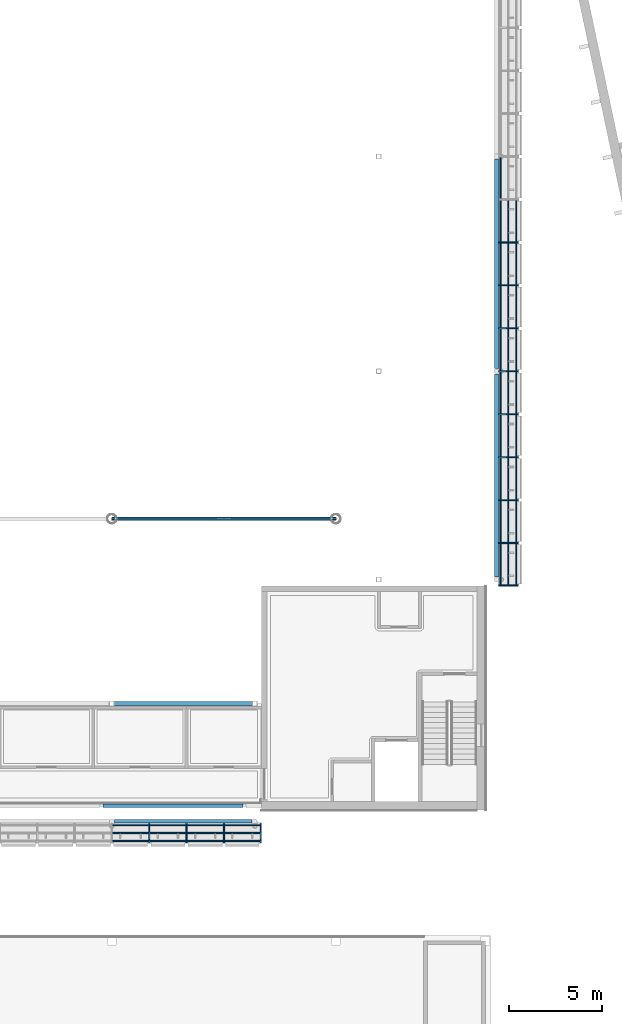
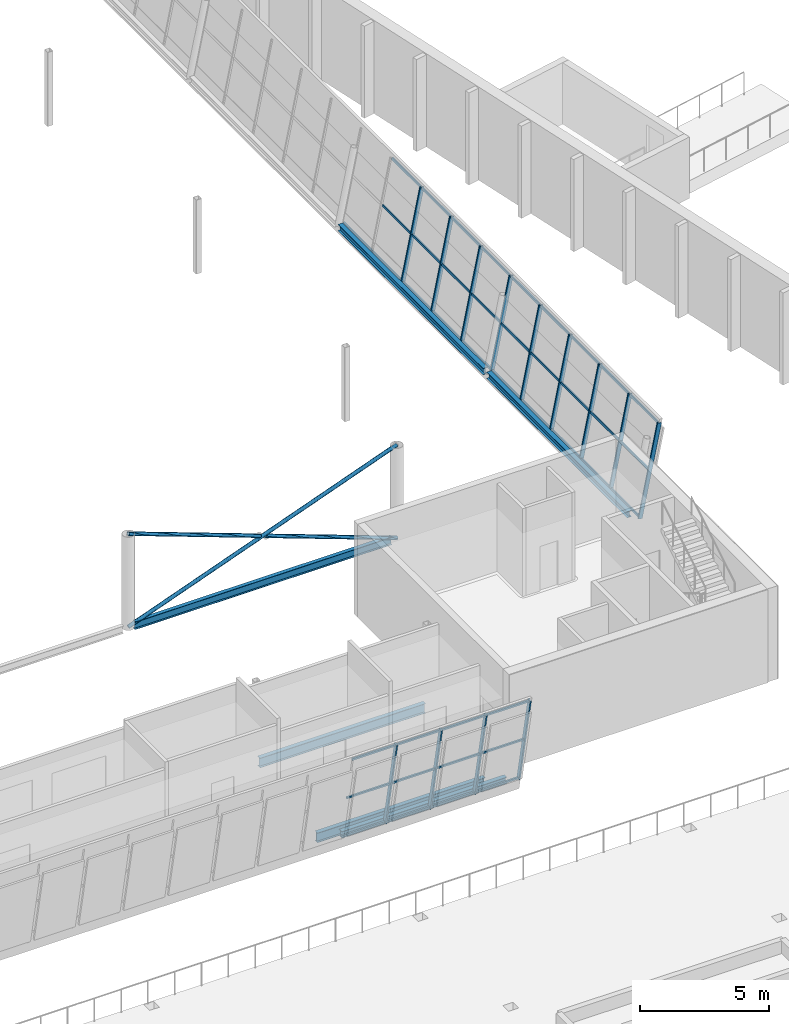
# One storey, part 30 of 95: 56 members, 6 beams, 2 elements without a shape of their own.
"""IFC4 building model written with IfcOpenShell, lengths in metres."""

from ifc_helpers import new_model, si_unit, direction, frame, origin, origin_2d, place, context, subcontext, project, spatial, rectangle, hollow_circle, i_section, extrude, material, layer, layer_set, material_profile, profile_set, type_object, element, aggregate, save


model = new_model("IFC4")

# Units and contexts
model_context = context("Model", 3, precision=1e-05, world=origin(), true_north=direction((0.0, 1.0)))
body_context = subcontext(model_context, "Body", "Model", "MODEL_VIEW")
ifc_project = project(units=[si_unit("LENGTHUNIT", "METRE"), si_unit("AREAUNIT", "SQUARE_METRE"), si_unit("VOLUMEUNIT", "CUBIC_METRE"), si_unit("PLANEANGLEUNIT", "RADIAN"), si_unit("MASSUNIT", "GRAM", prefix="KILO")], contexts=[model_context])

# Site, building, storey
site_placement = place(None, origin())
site = spatial("IfcSite", under=ifc_project, at=site_placement, CompositionType="ELEMENT")
building_placement = place(site_placement, origin())
building = spatial("IfcBuilding", under=site, at=building_placement, Name="Windward Yard Aquatics Centre", CompositionType="ELEMENT")
storey_placement = place(building_placement, frame((0.0, 0.0, 9.39990234375)))
storey = spatial("IfcBuildingStorey", under=building, at=storey_placement, Name="L02", CompositionType="ELEMENT", Elevation=9.39990234375)

# Curtain wall, members
ifc_material_1 = material(Name="Glass and aluminium curtain wall", Category="aluminium")
ifc_layer = layer(ifc_material_1, 0.179931640625)
ifc_layer_set = layer_set([ifc_layer], Name="H curtain wall tier 1 double glazed 8+16+8")
curtain_wall_type = type_object("IfcCurtainWallType", Name="H curtain wall tier 1 double glazed 8+16+8", PredefinedType="NOTDEFINED", material=ifc_layer_set)
curtain_wall_1_placement = place(storey_placement, origin())
curtain_wall_1 = element("IfcCurtainWall", 1, at=curtain_wall_1_placement, inside=storey, type_object=curtain_wall_type, Name="Tier 1 glazing S L02", PredefinedType="NOTDEFINED")
ifc_material_2 = material(Name="Aluminium 6063-T6 anodised", Category="aluminium")
ifc_material_profile_1 = material_profile(ifc_material_2, rectangle(XDim=0.06494140625, YDim=0.179931640625, at=origin_2d()), Name="H CW mullion 65x180")
ifc_profile_set_1 = profile_set([ifc_material_profile_1], Name="Aluminium 6063-T6 anodised")
member_type_1 = type_object("IfcMemberType", Name="H CW mullion 65x180", PredefinedType="MULLION", material=ifc_profile_set_1)
member_1_placement = place(storey_placement, frame((134.000732421875, 25.196533203125, 0.0), z_axis=(0.0, -0.199322032497, 0.979934042352), x_axis=(1.0, 0.0, 0.0)))
member_1 = element("IfcMember", 2, at=member_1_placement, type_object=member_type_1, Name="G1SB mullion 17", PredefinedType="MULLION", context=body_context, shape_type="SweptSolid", body=[
    extrude(rectangle(XDim=0.06494140625, YDim=0.179931640625, at=origin_2d()), origin(), (0.0, 0.0, 1.0), 4.31884765625),
])
member_2_placement = place(storey_placement, frame((136.00048828125, 25.196533203125, 0.0), z_axis=(0.0, -0.199322032497, 0.979934042352), x_axis=(1.0, 0.0, 0.0)))
member_2 = element("IfcMember", 3, at=member_2_placement, type_object=member_type_1, Name="G1SB mullion 18", PredefinedType="MULLION", context=body_context, shape_type="SweptSolid", body=[
    extrude(rectangle(XDim=0.06494140625, YDim=0.179931640625, at=origin_2d()), origin(), (0.0, 0.0, 1.0), 4.31884765625),
])
member_3_placement = place(storey_placement, frame((138.000244140625, 25.196533203125, 0.0), z_axis=(0.0, -0.199322032497, 0.979934042352), x_axis=(1.0, 0.0, 0.0)))
member_3 = element("IfcMember", 4, at=member_3_placement, type_object=member_type_1, Name="G1SB mullion 19", PredefinedType="MULLION", context=body_context, shape_type="SweptSolid", body=[
    extrude(rectangle(XDim=0.06494140625, YDim=0.179931640625, at=origin_2d()), origin(), (0.0, 0.0, 1.0), 4.31884765625),
])
member_4_placement = place(storey_placement, frame((139.967529296875, 25.196533203125, 0.0), z_axis=(0.0, -0.199322032497, 0.979934042352), x_axis=(1.0, 0.0, 0.0)))
member_4 = element("IfcMember", 5, at=member_4_placement, type_object=member_type_1, Name="G1SB mullion 20", PredefinedType="MULLION", context=body_context, shape_type="SweptSolid", body=[
    extrude(rectangle(XDim=0.06494140625, YDim=0.179931640625, at=origin_2d()), origin(), (0.0, 0.0, 1.0), 4.31884765625),
])

curtain_wall_2_placement = place(storey_placement, origin())
curtain_wall_2 = element("IfcCurtainWall", 6, at=curtain_wall_2_placement, inside=storey, type_object=curtain_wall_type, Name="Tier 1 glazing E L02", PredefinedType="NOTDEFINED")
member_5_placement = place(storey_placement, frame((152.803466796875, 38.032470703125, 0.0), z_axis=(0.199322032497, 0.0, 0.979934042352), x_axis=(0.0, 1.0, 0.0)))
member_5 = element("IfcMember", 7, at=member_5_placement, type_object=member_type_1, Name="G1EA mullion 1", PredefinedType="MULLION", context=body_context, shape_type="SweptSolid", body=[
    extrude(rectangle(XDim=0.06494140625, YDim=0.179931640625, at=origin_2d()), origin(), (0.0, 0.0, 1.0), 4.31884765625),
])
member_6_placement = place(storey_placement, frame((152.803466796875, 40.300048828125, 0.0), z_axis=(0.199322032497, 0.0, 0.979934042352), x_axis=(0.0, 1.0, 0.0)))
member_6 = element("IfcMember", 8, at=member_6_placement, type_object=member_type_1, Name="G1EA mullion 2", PredefinedType="MULLION", context=body_context, shape_type="SweptSolid", body=[
    extrude(rectangle(XDim=0.06494140625, YDim=0.179931640625, at=origin_2d()), origin(), (0.0, 0.0, 1.0), 4.31884765625),
])
member_7_placement = place(storey_placement, frame((152.803466796875, 42.60009765625, 0.0), z_axis=(0.199322032497, 0.0, 0.979934042352), x_axis=(0.0, 1.0, 0.0)))
member_7 = element("IfcMember", 9, at=member_7_placement, type_object=member_type_1, Name="G1EA mullion 3", PredefinedType="MULLION", context=body_context, shape_type="SweptSolid", body=[
    extrude(rectangle(XDim=0.06494140625, YDim=0.179931640625, at=origin_2d()), origin(), (0.0, 0.0, 1.0), 4.31884765625),
])
member_8_placement = place(storey_placement, frame((152.803466796875, 44.89990234375, 0.0), z_axis=(0.199322032497, 0.0, 0.979934042352), x_axis=(0.0, 1.0, 0.0)))
member_8 = element("IfcMember", 10, at=member_8_placement, type_object=member_type_1, Name="G1EA mullion 4", PredefinedType="MULLION", context=body_context, shape_type="SweptSolid", body=[
    extrude(rectangle(XDim=0.06494140625, YDim=0.179931640625, at=origin_2d()), origin(), (0.0, 0.0, 1.0), 4.31884765625),
])
member_9_placement = place(storey_placement, frame((152.803466796875, 47.199951171875, 0.0), z_axis=(0.199322032497, 0.0, 0.979934042352), x_axis=(0.0, 1.0, 0.0)))
member_9 = element("IfcMember", 11, at=member_9_placement, type_object=member_type_1, Name="G1EA mullion 5", PredefinedType="MULLION", context=body_context, shape_type="SweptSolid", body=[
    extrude(rectangle(XDim=0.06494140625, YDim=0.179931640625, at=origin_2d()), origin(), (0.0, 0.0, 1.0), 4.31884765625),
])
member_10_placement = place(storey_placement, frame((152.803466796875, 49.5, 0.0), z_axis=(0.199322032497, 0.0, 0.979934042352), x_axis=(0.0, 1.0, 0.0)))
member_10 = element("IfcMember", 12, at=member_10_placement, type_object=member_type_1, Name="G1EA mullion 6", PredefinedType="MULLION", context=body_context, shape_type="SweptSolid", body=[
    extrude(rectangle(XDim=0.06494140625, YDim=0.179931640625, at=origin_2d()), origin(), (0.0, 0.0, 1.0), 4.31884765625),
])
member_11_placement = place(storey_placement, frame((152.803466796875, 51.800048828125, 0.0), z_axis=(0.199322032497, 0.0, 0.979934042352), x_axis=(0.0, 1.0, 0.0)))
member_11 = element("IfcMember", 13, at=member_11_placement, type_object=member_type_1, Name="G1EA mullion 7", PredefinedType="MULLION", context=body_context, shape_type="SweptSolid", body=[
    extrude(rectangle(XDim=0.06494140625, YDim=0.179931640625, at=origin_2d()), origin(), (0.0, 0.0, 1.0), 4.31884765625),
])
member_12_placement = place(storey_placement, frame((152.803466796875, 54.10009765625, 0.0), z_axis=(0.199322032497, 0.0, 0.979934042352), x_axis=(0.0, 1.0, 0.0)))
member_12 = element("IfcMember", 14, at=member_12_placement, type_object=member_type_1, Name="G1EA mullion 8", PredefinedType="MULLION", context=body_context, shape_type="SweptSolid", body=[
    extrude(rectangle(XDim=0.06494140625, YDim=0.179931640625, at=origin_2d()), origin(), (0.0, 0.0, 1.0), 4.31884765625),
])
member_13_placement = place(storey_placement, frame((152.803466796875, 56.39990234375, 0.0), z_axis=(0.199322032497, 0.0, 0.979934042352), x_axis=(0.0, 1.0, 0.0)))
member_13 = element("IfcMember", 15, at=member_13_placement, type_object=member_type_1, Name="G1EA mullion 9", PredefinedType="MULLION", context=body_context, shape_type="SweptSolid", body=[
    extrude(rectangle(XDim=0.06494140625, YDim=0.179931640625, at=origin_2d()), origin(), (0.0, 0.0, 1.0), 4.31884765625),
])

# Member
ifc_material_profile_2 = material_profile(ifc_material_2, rectangle(XDim=0.06494140625, YDim=0.10009765625, at=origin_2d()), Name="H CW transom 65x100")
ifc_profile_set_2 = profile_set([ifc_material_profile_2], Name="Aluminium 6063-T6 anodised")
member_type_2 = type_object("IfcMemberType", Name="H CW transom 65x100", PredefinedType="USERDEFINED", material=ifc_profile_set_2)
member_14_placement = place(storey_placement, frame((132.033447265625, 25.186767578125, 0.049072265625), z_axis=(1.0, 0.0, 0.0), x_axis=(0.0, 0.9799247046, 0.19936793452)))
member_14 = element("IfcMember", 16, at=member_14_placement, type_object=member_type_2, Name="G1SB transom 16.1", ObjectType="TRANSOM", PredefinedType="USERDEFINED", context=body_context, shape_type="SweptSolid", body=[
    extrude(rectangle(XDim=0.06494140625, YDim=0.10009765625, at=origin_2d()), origin(), (0.0, 0.0, 1.0), 1.934814453125),
])

member_15_placement = place(storey_placement, frame((132.033447265625, 24.764404296875, 2.125), z_axis=(1.0, 0.0, 0.0), x_axis=(0.0, 0.9799247046, 0.19936793452)))
member_15 = element("IfcMember", 17, at=member_15_placement, type_object=member_type_2, Name="G1SB transom 16.2", ObjectType="TRANSOM", PredefinedType="USERDEFINED", context=body_context, shape_type="SweptSolid", body=[
    extrude(rectangle(XDim=0.06494140625, YDim=0.10009765625, at=origin_2d()), origin(), (0.0, 0.0, 1.0), 1.934814453125),
])

member_16_placement = place(storey_placement, frame((132.033447265625, 24.34326171875, 4.194580078125), z_axis=(1.0, 0.0, 0.0), x_axis=(0.0, 0.9799247046, 0.19936793452)))
member_16 = element("IfcMember", 18, at=member_16_placement, type_object=member_type_2, Name="G1SB transom 16.3", ObjectType="TRANSOM", PredefinedType="USERDEFINED", context=body_context, shape_type="SweptSolid", body=[
    extrude(rectangle(XDim=0.06494140625, YDim=0.10009765625, at=origin_2d()), origin(), (0.0, 0.0, 1.0), 1.934814453125),
])

member_17_placement = place(storey_placement, frame((134.033203125, 25.186767578125, 0.049072265625), z_axis=(1.0, 0.0, 0.0), x_axis=(0.0, 0.9799247046, 0.19936793452)))
member_17 = element("IfcMember", 19, at=member_17_placement, type_object=member_type_2, Name="G1SB transom 17.1", ObjectType="TRANSOM", PredefinedType="USERDEFINED", context=body_context, shape_type="SweptSolid", body=[
    extrude(rectangle(XDim=0.06494140625, YDim=0.10009765625, at=origin_2d()), origin(), (0.0, 0.0, 1.0), 1.934814453125),
])

member_18_placement = place(storey_placement, frame((134.033203125, 24.764404296875, 2.125), z_axis=(1.0, 0.0, 0.0), x_axis=(0.0, 0.9799247046, 0.19936793452)))
member_18 = element("IfcMember", 20, at=member_18_placement, type_object=member_type_2, Name="G1SB transom 17.2", ObjectType="TRANSOM", PredefinedType="USERDEFINED", context=body_context, shape_type="SweptSolid", body=[
    extrude(rectangle(XDim=0.06494140625, YDim=0.10009765625, at=origin_2d()), origin(), (0.0, 0.0, 1.0), 1.934814453125),
])

member_19_placement = place(storey_placement, frame((134.033203125, 24.34326171875, 4.194580078125), z_axis=(1.0, 0.0, 0.0), x_axis=(0.0, 0.9799247046, 0.19936793452)))
member_19 = element("IfcMember", 21, at=member_19_placement, type_object=member_type_2, Name="G1SB transom 17.3", ObjectType="TRANSOM", PredefinedType="USERDEFINED", context=body_context, shape_type="SweptSolid", body=[
    extrude(rectangle(XDim=0.06494140625, YDim=0.10009765625, at=origin_2d()), origin(), (0.0, 0.0, 1.0), 1.934814453125),
])

member_20_placement = place(storey_placement, frame((136.032958984375, 25.186767578125, 0.049072265625), z_axis=(1.0, 0.0, 0.0), x_axis=(0.0, 0.9799247046, 0.19936793452)))
member_20 = element("IfcMember", 22, at=member_20_placement, type_object=member_type_2, Name="G1SB transom 18.1", ObjectType="TRANSOM", PredefinedType="USERDEFINED", context=body_context, shape_type="SweptSolid", body=[
    extrude(rectangle(XDim=0.06494140625, YDim=0.10009765625, at=origin_2d()), origin(), (0.0, 0.0, 1.0), 1.934814453125),
])

member_21_placement = place(storey_placement, frame((136.032958984375, 24.764404296875, 2.125), z_axis=(1.0, 0.0, 0.0), x_axis=(0.0, 0.9799247046, 0.19936793452)))
member_21 = element("IfcMember", 23, at=member_21_placement, type_object=member_type_2, Name="G1SB transom 18.2", ObjectType="TRANSOM", PredefinedType="USERDEFINED", context=body_context, shape_type="SweptSolid", body=[
    extrude(rectangle(XDim=0.06494140625, YDim=0.10009765625, at=origin_2d()), origin(), (0.0, 0.0, 1.0), 1.934814453125),
])

member_22_placement = place(storey_placement, frame((136.032958984375, 24.34326171875, 4.194580078125), z_axis=(1.0, 0.0, 0.0), x_axis=(0.0, 0.9799247046, 0.19936793452)))
member_22 = element("IfcMember", 24, at=member_22_placement, type_object=member_type_2, Name="G1SB transom 18.3", ObjectType="TRANSOM", PredefinedType="USERDEFINED", context=body_context, shape_type="SweptSolid", body=[
    extrude(rectangle(XDim=0.06494140625, YDim=0.10009765625, at=origin_2d()), origin(), (0.0, 0.0, 1.0), 1.934814453125),
])

member_23_placement = place(storey_placement, frame((138.03271484375, 25.186767578125, 0.049072265625), z_axis=(1.0, 0.0, 0.0), x_axis=(0.0, 0.9799247046, 0.19936793452)))
member_23 = element("IfcMember", 25, at=member_23_placement, type_object=member_type_2, Name="G1SB transom 19.1", ObjectType="TRANSOM", PredefinedType="USERDEFINED", context=body_context, shape_type="SweptSolid", body=[
    extrude(rectangle(XDim=0.06494140625, YDim=0.10009765625, at=origin_2d()), origin(), (0.0, 0.0, 1.0), 1.90234375),
])

member_24_placement = place(storey_placement, frame((138.03271484375, 24.764404296875, 2.125), z_axis=(1.0, 0.0, 0.0), x_axis=(0.0, 0.9799247046, 0.19936793452)))
member_24 = element("IfcMember", 26, at=member_24_placement, type_object=member_type_2, Name="G1SB transom 19.2", ObjectType="TRANSOM", PredefinedType="USERDEFINED", context=body_context, shape_type="SweptSolid", body=[
    extrude(rectangle(XDim=0.06494140625, YDim=0.10009765625, at=origin_2d()), origin(), (0.0, 0.0, 1.0), 1.90234375),
])

member_25_placement = place(storey_placement, frame((138.03271484375, 24.34326171875, 4.194580078125), z_axis=(1.0, 0.0, 0.0), x_axis=(0.0, 0.9799247046, 0.19936793452)))
member_25 = element("IfcMember", 27, at=member_25_placement, type_object=member_type_2, Name="G1SB transom 19.3", ObjectType="TRANSOM", PredefinedType="USERDEFINED", context=body_context, shape_type="SweptSolid", body=[
    extrude(rectangle(XDim=0.06494140625, YDim=0.10009765625, at=origin_2d()), origin(), (0.0, 0.0, 1.0), 1.90234375),
])

aggregate(curtain_wall_1, [member_1, member_2, member_3, member_4, member_14, member_15, member_16, member_17, member_18, member_19, member_20, member_21, member_22, member_23, member_24, member_25])

member_26_placement = place(storey_placement, frame((152.813232421875, 38.06494140625, 0.049072265625), z_axis=(0.0, 1.0, 0.0), x_axis=(-0.9799247046, 0.0, 0.19936793452)))
member_26 = element("IfcMember", 28, at=member_26_placement, type_object=member_type_2, Name="G1EA transom 1.1", ObjectType="TRANSOM", PredefinedType="USERDEFINED", context=body_context, shape_type="SweptSolid", body=[
    extrude(rectangle(XDim=0.06494140625, YDim=0.10009765625, at=origin_2d()), origin(), (0.0, 0.0, 1.0), 2.20263671875),
])

member_27_placement = place(storey_placement, frame((153.235595703125, 38.06494140625, 2.125), z_axis=(0.0, 1.0, 0.0), x_axis=(-0.9799247046, 0.0, 0.19936793452)))
member_27 = element("IfcMember", 29, at=member_27_placement, type_object=member_type_2, Name="G1EA transom 1.2", ObjectType="TRANSOM", PredefinedType="USERDEFINED", context=body_context, shape_type="SweptSolid", body=[
    extrude(rectangle(XDim=0.06494140625, YDim=0.10009765625, at=origin_2d()), origin(), (0.0, 0.0, 1.0), 2.20263671875),
])

member_28_placement = place(storey_placement, frame((153.65673828125, 38.06494140625, 4.194580078125), z_axis=(0.0, 1.0, 0.0), x_axis=(-0.9799247046, 0.0, 0.19936793452)))
member_28 = element("IfcMember", 30, at=member_28_placement, type_object=member_type_2, Name="G1EA transom 1.3", ObjectType="TRANSOM", PredefinedType="USERDEFINED", context=body_context, shape_type="SweptSolid", body=[
    extrude(rectangle(XDim=0.06494140625, YDim=0.10009765625, at=origin_2d()), origin(), (0.0, 0.0, 1.0), 2.20263671875),
])

member_29_placement = place(storey_placement, frame((152.813232421875, 40.33251953125, 0.049072265625), z_axis=(0.0, 1.0, 0.0), x_axis=(-0.9799247046, 0.0, 0.19936793452)))
member_29 = element("IfcMember", 31, at=member_29_placement, type_object=member_type_2, Name="G1EA transom 2.1", ObjectType="TRANSOM", PredefinedType="USERDEFINED", context=body_context, shape_type="SweptSolid", body=[
    extrude(rectangle(XDim=0.06494140625, YDim=0.10009765625, at=origin_2d()), origin(), (0.0, 0.0, 1.0), 2.23486328125),
])

member_30_placement = place(storey_placement, frame((153.235595703125, 40.33251953125, 2.125), z_axis=(0.0, 1.0, 0.0), x_axis=(-0.9799247046, 0.0, 0.19936793452)))
member_30 = element("IfcMember", 32, at=member_30_placement, type_object=member_type_2, Name="G1EA transom 2.2", ObjectType="TRANSOM", PredefinedType="USERDEFINED", context=body_context, shape_type="SweptSolid", body=[
    extrude(rectangle(XDim=0.06494140625, YDim=0.10009765625, at=origin_2d()), origin(), (0.0, 0.0, 1.0), 2.23486328125),
])

member_31_placement = place(storey_placement, frame((153.65673828125, 40.33251953125, 4.194580078125), z_axis=(0.0, 1.0, 0.0), x_axis=(-0.9799247046, 0.0, 0.19936793452)))
member_31 = element("IfcMember", 33, at=member_31_placement, type_object=member_type_2, Name="G1EA transom 2.3", ObjectType="TRANSOM", PredefinedType="USERDEFINED", context=body_context, shape_type="SweptSolid", body=[
    extrude(rectangle(XDim=0.06494140625, YDim=0.10009765625, at=origin_2d()), origin(), (0.0, 0.0, 1.0), 2.23486328125),
])

member_32_placement = place(storey_placement, frame((152.813232421875, 42.632568359375, 0.049072265625), z_axis=(0.0, 1.0, 0.0), x_axis=(-0.9799247046, 0.0, 0.19936793452)))
member_32 = element("IfcMember", 34, at=member_32_placement, type_object=member_type_2, Name="G1EA transom 3.1", ObjectType="TRANSOM", PredefinedType="USERDEFINED", context=body_context, shape_type="SweptSolid", body=[
    extrude(rectangle(XDim=0.06494140625, YDim=0.10009765625, at=origin_2d()), origin(), (0.0, 0.0, 1.0), 2.23486328125),
])

member_33_placement = place(storey_placement, frame((153.235595703125, 42.632568359375, 2.125), z_axis=(0.0, 1.0, 0.0), x_axis=(-0.9799247046, 0.0, 0.19936793452)))
member_33 = element("IfcMember", 35, at=member_33_placement, type_object=member_type_2, Name="G1EA transom 3.2", ObjectType="TRANSOM", PredefinedType="USERDEFINED", context=body_context, shape_type="SweptSolid", body=[
    extrude(rectangle(XDim=0.06494140625, YDim=0.10009765625, at=origin_2d()), origin(), (0.0, 0.0, 1.0), 2.23486328125),
])

member_34_placement = place(storey_placement, frame((153.65673828125, 42.632568359375, 4.194580078125), z_axis=(0.0, 1.0, 0.0), x_axis=(-0.9799247046, 0.0, 0.19936793452)))
member_34 = element("IfcMember", 36, at=member_34_placement, type_object=member_type_2, Name="G1EA transom 3.3", ObjectType="TRANSOM", PredefinedType="USERDEFINED", context=body_context, shape_type="SweptSolid", body=[
    extrude(rectangle(XDim=0.06494140625, YDim=0.10009765625, at=origin_2d()), origin(), (0.0, 0.0, 1.0), 2.23486328125),
])

member_35_placement = place(storey_placement, frame((152.813232421875, 44.9326171875, 0.049072265625), z_axis=(0.0, 1.0, 0.0), x_axis=(-0.9799247046, 0.0, 0.19936793452)))
member_35 = element("IfcMember", 37, at=member_35_placement, type_object=member_type_2, Name="G1EA transom 4.1", ObjectType="TRANSOM", PredefinedType="USERDEFINED", context=body_context, shape_type="SweptSolid", body=[
    extrude(rectangle(XDim=0.06494140625, YDim=0.10009765625, at=origin_2d()), origin(), (0.0, 0.0, 1.0), 2.23486328125),
])

member_36_placement = place(storey_placement, frame((153.235595703125, 44.9326171875, 2.125), z_axis=(0.0, 1.0, 0.0), x_axis=(-0.9799247046, 0.0, 0.19936793452)))
member_36 = element("IfcMember", 38, at=member_36_placement, type_object=member_type_2, Name="G1EA transom 4.2", ObjectType="TRANSOM", PredefinedType="USERDEFINED", context=body_context, shape_type="SweptSolid", body=[
    extrude(rectangle(XDim=0.06494140625, YDim=0.10009765625, at=origin_2d()), origin(), (0.0, 0.0, 1.0), 2.23486328125),
])

member_37_placement = place(storey_placement, frame((153.65673828125, 44.9326171875, 4.194580078125), z_axis=(0.0, 1.0, 0.0), x_axis=(-0.9799247046, 0.0, 0.19936793452)))
member_37 = element("IfcMember", 39, at=member_37_placement, type_object=member_type_2, Name="G1EA transom 4.3", ObjectType="TRANSOM", PredefinedType="USERDEFINED", context=body_context, shape_type="SweptSolid", body=[
    extrude(rectangle(XDim=0.06494140625, YDim=0.10009765625, at=origin_2d()), origin(), (0.0, 0.0, 1.0), 2.23486328125),
])

member_38_placement = place(storey_placement, frame((152.813232421875, 47.232421875, 0.049072265625), z_axis=(0.0, 1.0, 0.0), x_axis=(-0.9799247046, 0.0, 0.19936793452)))
member_38 = element("IfcMember", 40, at=member_38_placement, type_object=member_type_2, Name="G1EA transom 5.1", ObjectType="TRANSOM", PredefinedType="USERDEFINED", context=body_context, shape_type="SweptSolid", body=[
    extrude(rectangle(XDim=0.06494140625, YDim=0.10009765625, at=origin_2d()), origin(), (0.0, 0.0, 1.0), 2.235107421875),
])

member_39_placement = place(storey_placement, frame((153.235595703125, 47.232421875, 2.125), z_axis=(0.0, 1.0, 0.0), x_axis=(-0.9799247046, 0.0, 0.19936793452)))
member_39 = element("IfcMember", 41, at=member_39_placement, type_object=member_type_2, Name="G1EA transom 5.2", ObjectType="TRANSOM", PredefinedType="USERDEFINED", context=body_context, shape_type="SweptSolid", body=[
    extrude(rectangle(XDim=0.06494140625, YDim=0.10009765625, at=origin_2d()), origin(), (0.0, 0.0, 1.0), 2.235107421875),
])

member_40_placement = place(storey_placement, frame((153.65673828125, 47.232421875, 4.194580078125), z_axis=(0.0, 1.0, 0.0), x_axis=(-0.9799247046, 0.0, 0.19936793452)))
member_40 = element("IfcMember", 42, at=member_40_placement, type_object=member_type_2, Name="G1EA transom 5.3", ObjectType="TRANSOM", PredefinedType="USERDEFINED", context=body_context, shape_type="SweptSolid", body=[
    extrude(rectangle(XDim=0.06494140625, YDim=0.10009765625, at=origin_2d()), origin(), (0.0, 0.0, 1.0), 2.235107421875),
])

member_41_placement = place(storey_placement, frame((152.813232421875, 49.532470703125, 0.049072265625), z_axis=(0.0, 1.0, 0.0), x_axis=(-0.9799247046, 0.0, 0.19936793452)))
member_41 = element("IfcMember", 43, at=member_41_placement, type_object=member_type_2, Name="G1EA transom 6.1", ObjectType="TRANSOM", PredefinedType="USERDEFINED", context=body_context, shape_type="SweptSolid", body=[
    extrude(rectangle(XDim=0.06494140625, YDim=0.10009765625, at=origin_2d()), origin(), (0.0, 0.0, 1.0), 2.235107421875),
])

member_42_placement = place(storey_placement, frame((153.235595703125, 49.532470703125, 2.125), z_axis=(0.0, 1.0, 0.0), x_axis=(-0.9799247046, 0.0, 0.19936793452)))
member_42 = element("IfcMember", 44, at=member_42_placement, type_object=member_type_2, Name="G1EA transom 6.2", ObjectType="TRANSOM", PredefinedType="USERDEFINED", context=body_context, shape_type="SweptSolid", body=[
    extrude(rectangle(XDim=0.06494140625, YDim=0.10009765625, at=origin_2d()), origin(), (0.0, 0.0, 1.0), 2.235107421875),
])

member_43_placement = place(storey_placement, frame((153.65673828125, 49.532470703125, 4.194580078125), z_axis=(0.0, 1.0, 0.0), x_axis=(-0.9799247046, 0.0, 0.19936793452)))
member_43 = element("IfcMember", 45, at=member_43_placement, type_object=member_type_2, Name="G1EA transom 6.3", ObjectType="TRANSOM", PredefinedType="USERDEFINED", context=body_context, shape_type="SweptSolid", body=[
    extrude(rectangle(XDim=0.06494140625, YDim=0.10009765625, at=origin_2d()), origin(), (0.0, 0.0, 1.0), 2.235107421875),
])

member_44_placement = place(storey_placement, frame((152.813232421875, 51.83251953125, 0.049072265625), z_axis=(0.0, 1.0, 0.0), x_axis=(-0.9799247046, 0.0, 0.19936793452)))
member_44 = element("IfcMember", 46, at=member_44_placement, type_object=member_type_2, Name="G1EA transom 7.1", ObjectType="TRANSOM", PredefinedType="USERDEFINED", context=body_context, shape_type="SweptSolid", body=[
    extrude(rectangle(XDim=0.06494140625, YDim=0.10009765625, at=origin_2d()), origin(), (0.0, 0.0, 1.0), 2.23486328125),
])

member_45_placement = place(storey_placement, frame((153.235595703125, 51.83251953125, 2.125), z_axis=(0.0, 1.0, 0.0), x_axis=(-0.9799247046, 0.0, 0.19936793452)))
member_45 = element("IfcMember", 47, at=member_45_placement, type_object=member_type_2, Name="G1EA transom 7.2", ObjectType="TRANSOM", PredefinedType="USERDEFINED", context=body_context, shape_type="SweptSolid", body=[
    extrude(rectangle(XDim=0.06494140625, YDim=0.10009765625, at=origin_2d()), origin(), (0.0, 0.0, 1.0), 2.23486328125),
])

member_46_placement = place(storey_placement, frame((153.65673828125, 51.83251953125, 4.194580078125), z_axis=(0.0, 1.0, 0.0), x_axis=(-0.9799247046, 0.0, 0.19936793452)))
member_46 = element("IfcMember", 48, at=member_46_placement, type_object=member_type_2, Name="G1EA transom 7.3", ObjectType="TRANSOM", PredefinedType="USERDEFINED", context=body_context, shape_type="SweptSolid", body=[
    extrude(rectangle(XDim=0.06494140625, YDim=0.10009765625, at=origin_2d()), origin(), (0.0, 0.0, 1.0), 2.23486328125),
])

member_47_placement = place(storey_placement, frame((152.813232421875, 54.132568359375, 0.049072265625), z_axis=(0.0, 1.0, 0.0), x_axis=(-0.9799247046, 0.0, 0.19936793452)))
member_47 = element("IfcMember", 49, at=member_47_placement, type_object=member_type_2, Name="G1EA transom 8.1", ObjectType="TRANSOM", PredefinedType="USERDEFINED", context=body_context, shape_type="SweptSolid", body=[
    extrude(rectangle(XDim=0.06494140625, YDim=0.10009765625, at=origin_2d()), origin(), (0.0, 0.0, 1.0), 2.23486328125),
])

member_48_placement = place(storey_placement, frame((153.235595703125, 54.132568359375, 2.125), z_axis=(0.0, 1.0, 0.0), x_axis=(-0.9799247046, 0.0, 0.19936793452)))
member_48 = element("IfcMember", 50, at=member_48_placement, type_object=member_type_2, Name="G1EA transom 8.2", ObjectType="TRANSOM", PredefinedType="USERDEFINED", context=body_context, shape_type="SweptSolid", body=[
    extrude(rectangle(XDim=0.06494140625, YDim=0.10009765625, at=origin_2d()), origin(), (0.0, 0.0, 1.0), 2.23486328125),
])

member_49_placement = place(storey_placement, frame((153.65673828125, 54.132568359375, 4.194580078125), z_axis=(0.0, 1.0, 0.0), x_axis=(-0.9799247046, 0.0, 0.19936793452)))
member_49 = element("IfcMember", 51, at=member_49_placement, type_object=member_type_2, Name="G1EA transom 8.3", ObjectType="TRANSOM", PredefinedType="USERDEFINED", context=body_context, shape_type="SweptSolid", body=[
    extrude(rectangle(XDim=0.06494140625, YDim=0.10009765625, at=origin_2d()), origin(), (0.0, 0.0, 1.0), 2.23486328125),
])

member_50_placement = place(storey_placement, frame((152.813232421875, 56.4326171875, 0.049072265625), z_axis=(0.0, 1.0, 0.0), x_axis=(-0.9799247046, 0.0, 0.19936793452)))
member_50 = element("IfcMember", 52, at=member_50_placement, type_object=member_type_2, Name="G1EA transom 9.1", ObjectType="TRANSOM", PredefinedType="USERDEFINED", context=body_context, shape_type="SweptSolid", body=[
    extrude(rectangle(XDim=0.06494140625, YDim=0.10009765625, at=origin_2d()), origin(), (0.0, 0.0, 1.0), 2.23486328125),
])

member_51_placement = place(storey_placement, frame((153.235595703125, 56.4326171875, 2.125), z_axis=(0.0, 1.0, 0.0), x_axis=(-0.9799247046, 0.0, 0.19936793452)))
member_51 = element("IfcMember", 53, at=member_51_placement, type_object=member_type_2, Name="G1EA transom 9.2", ObjectType="TRANSOM", PredefinedType="USERDEFINED", context=body_context, shape_type="SweptSolid", body=[
    extrude(rectangle(XDim=0.06494140625, YDim=0.10009765625, at=origin_2d()), origin(), (0.0, 0.0, 1.0), 2.23486328125),
])

member_52_placement = place(storey_placement, frame((153.65673828125, 56.4326171875, 4.194580078125), z_axis=(0.0, 1.0, 0.0), x_axis=(-0.9799247046, 0.0, 0.19936793452)))
member_52 = element("IfcMember", 54, at=member_52_placement, type_object=member_type_2, Name="G1EA transom 9.3", ObjectType="TRANSOM", PredefinedType="USERDEFINED", context=body_context, shape_type="SweptSolid", body=[
    extrude(rectangle(XDim=0.06494140625, YDim=0.10009765625, at=origin_2d()), origin(), (0.0, 0.0, 1.0), 2.23486328125),
])

member_53_placement = place(storey_placement, frame((152.813232421875, 58.732421875, 0.049072265625), z_axis=(0.0, 1.0, 0.0), x_axis=(-0.9799247046, 0.0, 0.19936793452)))
member_53 = element("IfcMember", 55, at=member_53_placement, type_object=member_type_2, Name="G1EA transom 10.1", ObjectType="TRANSOM", PredefinedType="USERDEFINED", context=body_context, shape_type="SweptSolid", body=[
    extrude(rectangle(XDim=0.06494140625, YDim=0.10009765625, at=origin_2d()), origin(), (0.0, 0.0, 1.0), 2.235107421875),
])

aggregate(curtain_wall_2, [member_5, member_6, member_7, member_8, member_9, member_10, member_11, member_12, member_13, member_26, member_27, member_28, member_29, member_30, member_31, member_32, member_33, member_34, member_35, member_36, member_37, member_38, member_39, member_40, member_41, member_42, member_43, member_44, member_45, member_46, member_47, member_48, member_49, member_50, member_51, member_52, member_53])

# Beam
ifc_material_3 = material(Name="Steel ASTM A992 Gr 50", Category="steel")
ifc_material_profile_3 = material_profile(ifc_material_3, i_section(OverallWidth=0.172119140625, OverallDepth=0.35791015625, WebThickness=0.0078125, FlangeThickness=0.01318359375, at=origin_2d()), Name="W360X57.8")
ifc_profile_set_3 = profile_set([ifc_material_profile_3], Name="Steel ASTM A992 Gr 50")
beam_type_1 = type_object("IfcBeamType", Name="H arch column tie beam W360X57.8", PredefinedType="BEAM", material=ifc_profile_set_3)
beam_1_placement = place(storey_placement, frame((132.25390625, 41.60009765625, 0.0), z_axis=(1.0, 0.0, 0.0), x_axis=(0.0, 1.0, 0.0)))
element("IfcBeam", 56, at=beam_1_placement, inside=storey, type_object=beam_type_1, Name="H.TB.S7.T2", PredefinedType="BEAM", context=body_context, shape_type="SweptSolid", body=[
    extrude(i_section(OverallWidth=0.172119140625, OverallDepth=0.35791015625, WebThickness=0.0078125, FlangeThickness=0.01318359375, at=origin_2d()), origin(), (0.0, 0.0, 1.0), 11.4921875),
])

# Members
ifc_material_4 = material(Name="Steel ASTM A500 Gr C", Category="steel")
ifc_material_profile_4 = material_profile(ifc_material_4, hollow_circle(Radius=0.084228515625, WallThickness=0.010986328125, at=origin_2d()), Name="HSS168.3X11")
ifc_profile_set_4 = profile_set([ifc_material_profile_4], Name="Steel ASTM A500 Gr C")
member_type_3 = type_object("IfcMemberType", Name="H column brace HSS168.3X11", PredefinedType="BRACE", material=ifc_profile_set_4)
member_54_placement = place(storey_placement, frame((132.0, 41.60009765625, 0.0), z_axis=(0.938872611543, 0.0, 0.344264751746), x_axis=(0.0, 1.0, 0.0)))
element("IfcMember", 57, at=member_54_placement, inside=storey, type_object=member_type_3, Name="H.VB.S7.L02.A", PredefinedType="BRACE", context=body_context, shape_type="SweptSolid", body=[
    extrude(hollow_circle(Radius=0.084228515625, WallThickness=0.010986328125, at=origin_2d()), origin(), (0.0, 0.0, 1.0), 12.78125),
])
for number, where, z_axis, x_axis, name in (
    (58, (132.0, 41.60009765625, 4.400146484375), (0.938872965334, 0.0, -0.344263786891), (0.0, 1.0, 0.0), "H.VB.S7.L02.B1"),
    (59, (138.103515625, 41.60009765625, 2.162109375), (0.938872965334, 0.0, -0.344263786891), (0.0, 1.0, 0.0), "H.VB.S7.L02.B2"),
):
    element("IfcMember", number, at=place(storey_placement, frame(where, z_axis=z_axis, x_axis=x_axis)), inside=storey, type_object=member_type_3, Name=name, PredefinedType="BRACE", context=body_context, shape_type="SweptSolid", body=[
        extrude(hollow_circle(Radius=0.084228515625, WallThickness=0.010986328125, at=origin_2d()), origin(), (0.0, 0.0, 1.0), 6.2802734375),
    ])

# Beams
ifc_material_profile_5 = material_profile(ifc_material_3, i_section(OverallWidth=0.19091796875, OverallDepth=0.45703125, WebThickness=0.009033203125, FlangeThickness=0.014404296875, at=origin_2d()), Name="W460X74")
ifc_profile_set_5 = profile_set([ifc_material_profile_5], Name="Steel ASTM A992 Gr 50")
beam_type_2 = type_object("IfcBeamType", Name="H gallery edge beam W460X74", PredefinedType="BEAM", material=ifc_profile_set_5)
beam_2_placement = place(storey_placement, frame((131.526123046875, 26.22509765625, -0.428466796875), z_axis=(1.0, 0.0, 0.0), x_axis=(0.0, 1.0, 0.0)))
element("IfcBeam", 60, at=beam_2_placement, inside=storey, type_object=beam_type_2, Name="H.GB.S.O8", PredefinedType="BEAM", context=body_context, shape_type="SweptSolid", body=[
    extrude(i_section(OverallWidth=0.19091796875, OverallDepth=0.45703125, WebThickness=0.009033203125, FlangeThickness=0.014404296875, at=origin_2d()), origin(), (0.0, 0.0, 1.0), 7.49755859375),
])
beam_3_placement = place(storey_placement, frame((132.126953125, 31.709716796875, -0.428466796875), z_axis=(1.0, 0.0, 0.0), x_axis=(0.0, 1.0, 0.0)))
element("IfcBeam", 61, at=beam_3_placement, inside=storey, type_object=beam_type_2, Name="H.GB.S.I7", PredefinedType="BEAM", context=body_context, shape_type="SweptSolid", body=[
    extrude(i_section(OverallWidth=0.19091796875, OverallDepth=0.45703125, WebThickness=0.009033203125, FlangeThickness=0.014404296875, at=origin_2d()), origin(), (0.0, 0.0, 1.0), 7.39599609375),
])
ifc_material_profile_6 = material_profile(ifc_material_3, i_section(OverallWidth=0.202880859375, OverallDepth=0.302001953125, WebThickness=0.007568359375, FlangeThickness=0.01318359375, at=origin_2d()), Name="W310X60")
ifc_profile_set_6 = profile_set([ifc_material_profile_6], Name="Steel ASTM A992 Gr 50")
beam_type_3 = type_object("IfcBeamType", Name="H tier ring beam W310X60", PredefinedType="BEAM", material=ifc_profile_set_6)
beam_4_placement = place(storey_placement, frame((132.136474609375, 25.40478515625, 0.0), z_axis=(1.0, 0.0, 0.0), x_axis=(0.0, 1.0, 0.0)))
element("IfcBeam", 62, at=beam_4_placement, inside=storey, type_object=beam_type_3, Name="H.RG.S7.1", PredefinedType="BEAM", context=body_context, shape_type="SweptSolid", body=[
    extrude(i_section(OverallWidth=0.202880859375, OverallDepth=0.302001953125, WebThickness=0.007568359375, FlangeThickness=0.01318359375, at=origin_2d()), origin(), (0.0, 0.0, 1.0), 7.376953125),
])
beam_5_placement = place(storey_placement, frame((152.59521484375, 38.486572265625, 0.0), z_axis=(0.0, 1.0, 0.0), x_axis=(-1.0, 0.0, 0.0)))
element("IfcBeam", 63, at=beam_5_placement, inside=storey, type_object=beam_type_3, Name="H.RG.E1.1", PredefinedType="BEAM", context=body_context, shape_type="SweptSolid", body=[
    extrude(i_section(OverallWidth=0.202880859375, OverallDepth=0.302001953125, WebThickness=0.007568359375, FlangeThickness=0.01318359375, at=origin_2d()), origin(), (0.0, 0.0, 1.0), 10.876953125),
])
beam_6_placement = place(storey_placement, frame((152.59521484375, 49.636474609375, 0.0), z_axis=(0.0, 1.0, 0.0), x_axis=(-1.0, 0.0, 0.0)))
element("IfcBeam", 64, at=beam_6_placement, inside=storey, type_object=beam_type_3, Name="H.RG.E2.1", PredefinedType="BEAM", context=body_context, shape_type="SweptSolid", body=[
    extrude(i_section(OverallWidth=0.202880859375, OverallDepth=0.302001953125, WebThickness=0.007568359375, FlangeThickness=0.01318359375, at=origin_2d()), origin(), (0.0, 0.0, 1.0), 11.22705078125),
])

save(model, "model.ifc")
